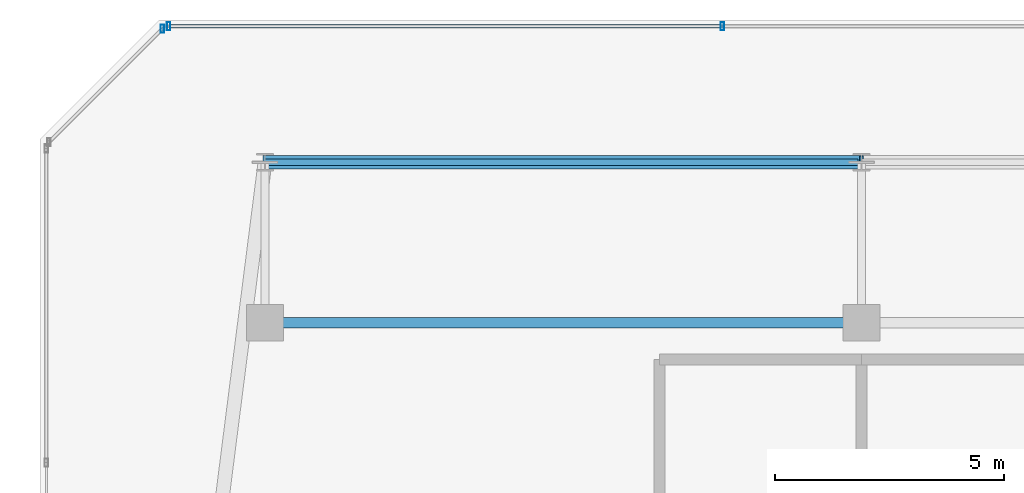
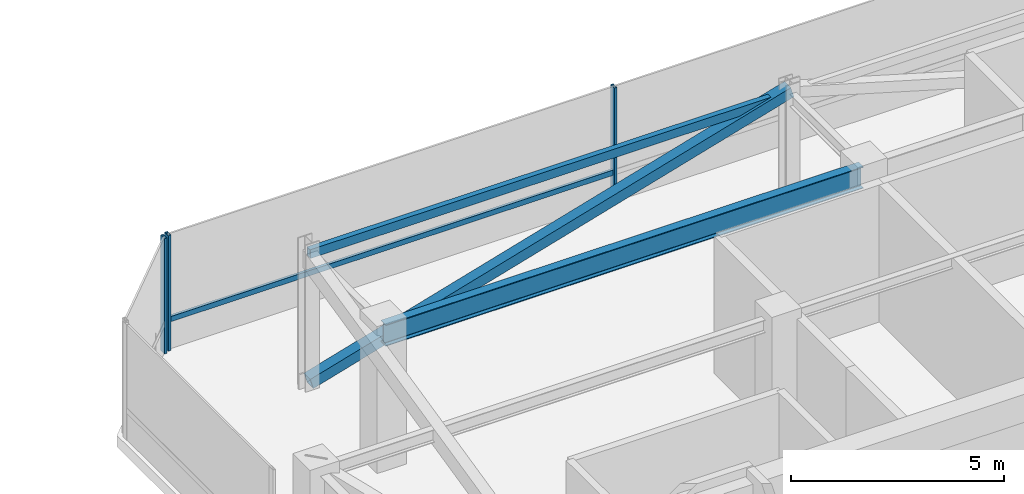
# One storey, part 31 of 47: 5 members, 2 beams, 2 elements without a shape of their own.
"""IFC4 building model written with IfcOpenShell, lengths in metres."""

from ifc_helpers import new_model, si_unit, direction, frame, origin, origin_2d, place, context, subcontext, project, spatial, hollow_rectangle, i_section, extrude, material, material_profile, profile_set, type_object, element, aggregate, save


model = new_model("IFC4")

# Units and contexts
model_context = context("Model", 3, precision=1e-05, world=origin(), true_north=direction((0.0, 1.0)))
body_context = subcontext(model_context, "Body", "Model", "MODEL_VIEW")
ifc_project = project(units=[si_unit("LENGTHUNIT", "METRE"), si_unit("AREAUNIT", "SQUARE_METRE"), si_unit("VOLUMEUNIT", "CUBIC_METRE"), si_unit("PLANEANGLEUNIT", "RADIAN"), si_unit("MASSUNIT", "GRAM", prefix="KILO")], contexts=[model_context])

# Site, building, storey
site_placement = place(None, origin())
site = spatial("IfcSite", under=ifc_project, at=site_placement, CompositionType="ELEMENT")
building_placement = place(site_placement, origin())
building = spatial("IfcBuilding", under=site, at=building_placement, Name="Thornwick Lancets Civic Towers", CompositionType="ELEMENT")
storey_placement = place(building_placement, frame((0.0, 0.0, 279.89990234375)))
storey = spatial("IfcBuildingStorey", under=building, at=storey_placement, Name="C01", CompositionType="ELEMENT", Elevation=279.89990234375)

# Beams
ifc_material_1 = material(Name="Steel S355JR", Category="steel")
ifc_material_profile_1 = material_profile(ifc_material_1, hollow_rectangle(XDim=0.14990234375, YDim=0.25, WallThickness=0.012451171875, at=origin_2d()), Name="RHS 250x150x12.5")
ifc_profile_set_1 = profile_set([ifc_material_profile_1], Name="Steel S355JR")
beam_type_1 = type_object("IfcBeamType", Name="BM_CROWN_RHS250", PredefinedType="BEAM", material=ifc_profile_set_1)
beam_1_placement = place(storey_placement, frame((88.419921875, 47.800048828125, 3.815185546875), z_axis=(-1.0, 0.0, 0.0), x_axis=(0.0, -1.0, 0.0)))
element("IfcBeam", 1, at=beam_1_placement, inside=storey, type_object=beam_type_1, Name="BM-EDGE-C01-B-S1-2", PredefinedType="BEAM", context=body_context, shape_type="SweptSolid", body=[
    extrude(hollow_rectangle(XDim=0.14990234375, YDim=0.25, WallThickness=0.012451171875, at=origin_2d()), origin(), (0.0, 0.0, 1.0), 12.919921875),
])
ifc_material_profile_2 = material_profile(ifc_material_1, i_section(OverallWidth=0.230224609375, OverallDepth=0.6171875, WebThickness=0.01318359375, FlangeThickness=0.022216796875, FilletRadius=0.0126953125, at=origin_2d()), Name="UKB 610x229x140")
ifc_profile_set_2 = profile_set([ifc_material_profile_2], Name="Steel S355JR")
beam_type_2 = type_object("IfcBeamType", Name="BM_GIRD_610_140", PredefinedType="BEAM", material=ifc_profile_set_2)
beam_2_placement = place(storey_placement, frame((88.419921875, 44.300048828125, 3.631591796875), z_axis=(-1.0, 0.0, 0.0), x_axis=(0.0, -1.0, 0.0)))
element("IfcBeam", 2, at=beam_2_placement, inside=storey, type_object=beam_type_2, Name="BM-SPINE-C01-B-4-5", PredefinedType="BEAM", context=body_context, shape_type="SweptSolid", body=[
    extrude(i_section(OverallWidth=0.230224609375, OverallDepth=0.6171875, WebThickness=0.01318359375, FlangeThickness=0.022216796875, FilletRadius=0.0126953125, at=origin_2d()), origin(), (0.0, 0.0, 1.0), 12.919921875),
])

# Curtain wall, members
ifc_material_2 = material(Name="Crown ring acoustic-louvre and glazing screen wall", Category="glass")
curtain_wall_type = type_object("IfcCurtainWallType", Name="CW_SYS_07", PredefinedType="NOTDEFINED", material=ifc_material_2)
curtain_wall_1_placement = place(storey_placement, origin())
curtain_wall_1 = element("IfcCurtainWall", 3, at=curtain_wall_1_placement, inside=storey, type_object=curtain_wall_type, Name="C01 Curtain Wall CW-C01-B-E4", PredefinedType="NOTDEFINED")
ifc_material_3 = material(Name="Thermally broken bronze aluminium S355", Category="steel")
ifc_material_profile_3 = material_profile(ifc_material_3, hollow_rectangle(XDim=0.074951171875, YDim=0.179931640625, WallThickness=0.006103515625, at=origin_2d()), Name="RHS 180x75x6")
ifc_profile_set_3 = profile_set([ifc_material_profile_3], Name="Thermally broken bronze aluminium S355")
member_type_1 = type_object("IfcMemberType", Name="CW_MUL_180", PredefinedType="MULLION", material=ifc_profile_set_3)
member_1_placement = place(storey_placement, frame((85.46630859375, 50.7646484375, 0.0), z_axis=(0.0, 0.0, 1.0), x_axis=(1.0, 0.0, 0.0)))
member_1 = element("IfcMember", 4, at=member_1_placement, type_object=member_type_1, Name="CW-C01-B-E4 Mullion 2", PredefinedType="MULLION", context=body_context, shape_type="SweptSolid", body=[
    extrude(hollow_rectangle(XDim=0.074951171875, YDim=0.179931640625, WallThickness=0.006103515625, at=origin_2d()), origin(), (0.0, 0.0, 1.0), 3.300048828125),
])
member_2_placement = place(storey_placement, frame((73.398681640625, 50.7646484375, 0.0), z_axis=(0.0, 0.0, 1.0), x_axis=(1.0, 0.0, 0.0)))
member_2 = element("IfcMember", 5, at=member_2_placement, type_object=member_type_1, Name="CW-C01-B-E4 Mullion 3", PredefinedType="MULLION", context=body_context, shape_type="SweptSolid", body=[
    extrude(hollow_rectangle(XDim=0.074951171875, YDim=0.179931640625, WallThickness=0.006103515625, at=origin_2d()), origin(), (0.0, 0.0, 1.0), 3.300048828125),
])

# Curtain wall, member
curtain_wall_2_placement = place(storey_placement, origin())
curtain_wall_2 = element("IfcCurtainWall", 6, at=curtain_wall_2_placement, inside=storey, type_object=curtain_wall_type, Name="C01 Curtain Wall CW-C01-B-E5", PredefinedType="NOTDEFINED")
member_3_placement = place(storey_placement, frame((73.261962890625, 50.7080078125, 0.0), z_axis=(0.0, 0.0, 1.0), x_axis=(1.0, 0.0, 0.0)))
member_3 = element("IfcMember", 7, at=member_3_placement, type_object=member_type_1, Name="CW-C01-B-E5 Mullion 0", PredefinedType="MULLION", context=body_context, shape_type="SweptSolid", body=[
    extrude(hollow_rectangle(XDim=0.074951171875, YDim=0.179931640625, WallThickness=0.006103515625, at=origin_2d()), origin(), (0.0, 0.0, 1.0), 3.300048828125),
])
aggregate(curtain_wall_2, [member_3])

# Member
ifc_material_profile_4 = material_profile(ifc_material_3, hollow_rectangle(XDim=0.074951171875, YDim=0.14990234375, WallThickness=0.0048828125, at=origin_2d()), Name="RHS 150x75x5")
ifc_profile_set_4 = profile_set([ifc_material_profile_4], Name="Thermally broken bronze aluminium S355")
member_type_2 = type_object("IfcMemberType", Name="CW_TRN_150", PredefinedType="USERDEFINED", material=ifc_profile_set_4)
member_4_placement = place(storey_placement, frame((85.4462890625, 50.7646484375, 0.85009765625), z_axis=(-1.0, 0.0, 0.0), x_axis=(0.0, -1.0, 0.0)))
member_4 = element("IfcMember", 8, at=member_4_placement, type_object=member_type_2, Name="CW-C01-B-E4 Transom 2", ObjectType="TRANSOM", PredefinedType="USERDEFINED", context=body_context, shape_type="SweptSolid", body=[
    extrude(hollow_rectangle(XDim=0.074951171875, YDim=0.14990234375, WallThickness=0.0048828125, at=origin_2d()), origin(), (0.0, 0.0, 1.0), 12.027587890625),
])

aggregate(curtain_wall_1, [member_1, member_2, member_4])

ifc_material_4 = material(Name="Steel S460M", Category="steel")
ifc_material_profile_5 = material_profile(ifc_material_4, hollow_rectangle(XDim=0.300048828125, YDim=0.300048828125, WallThickness=0.01611328125, at=origin_2d()), Name="SHS 300x300x16")
ifc_profile_set_5 = profile_set([ifc_material_profile_5], Name="Steel S460M")
member_type_3 = type_object("IfcMemberType", Name="MEM_BELT_SHS300", PredefinedType="BRACE", material=ifc_profile_set_5)
member_5_placement = place(storey_placement, frame((75.5, 47.800048828125, 0.150146484375), z_axis=(0.960032302388, 0.0, 0.279889225178), x_axis=(0.0, 1.0, 0.0)))
element("IfcMember", 9, at=member_5_placement, inside=storey, type_object=member_type_3, Name="C01 Belt Truss Diagonal B-S1-2", PredefinedType="BRACE", context=body_context, shape_type="SweptSolid", body=[
    extrude(hollow_rectangle(XDim=0.300048828125, YDim=0.300048828125, WallThickness=0.01611328125, at=origin_2d()), origin(), (0.0, 0.0, 1.0), 13.541259765625),
])

save(model, "model.ifc")
